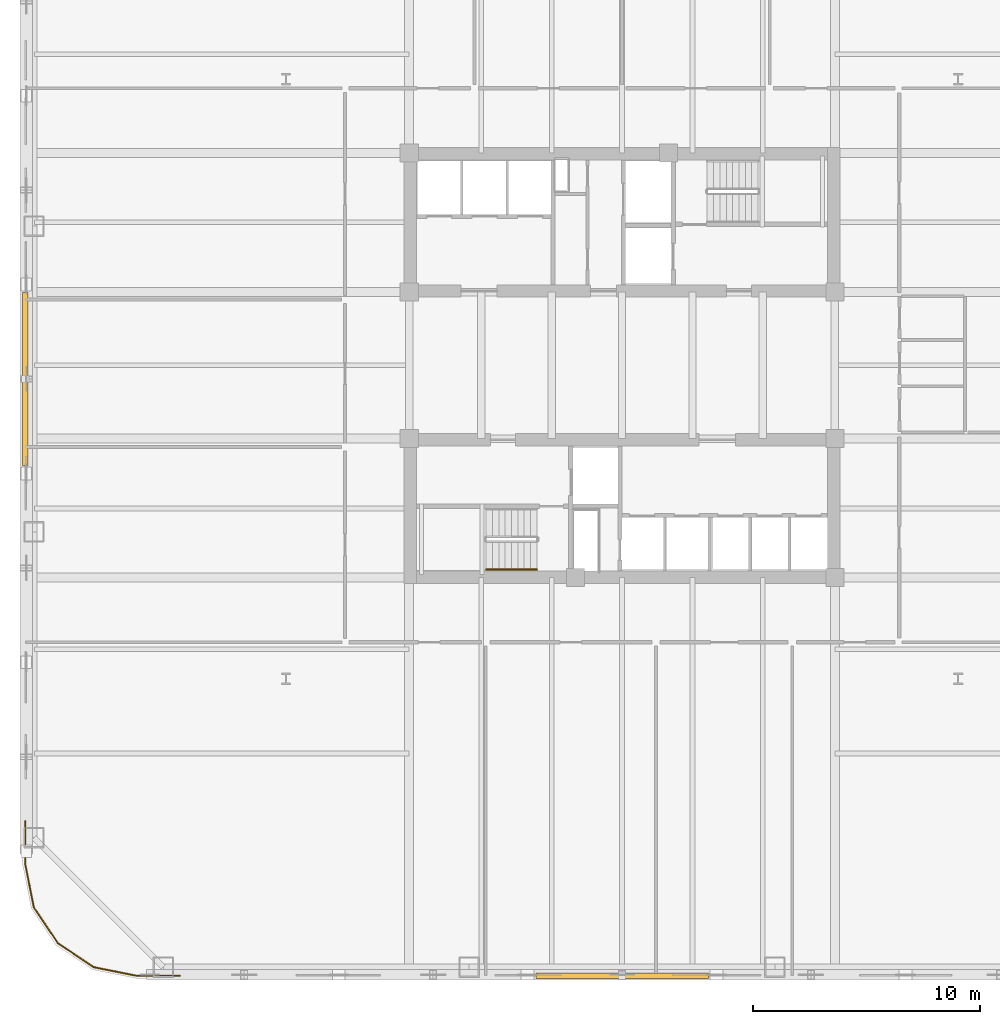
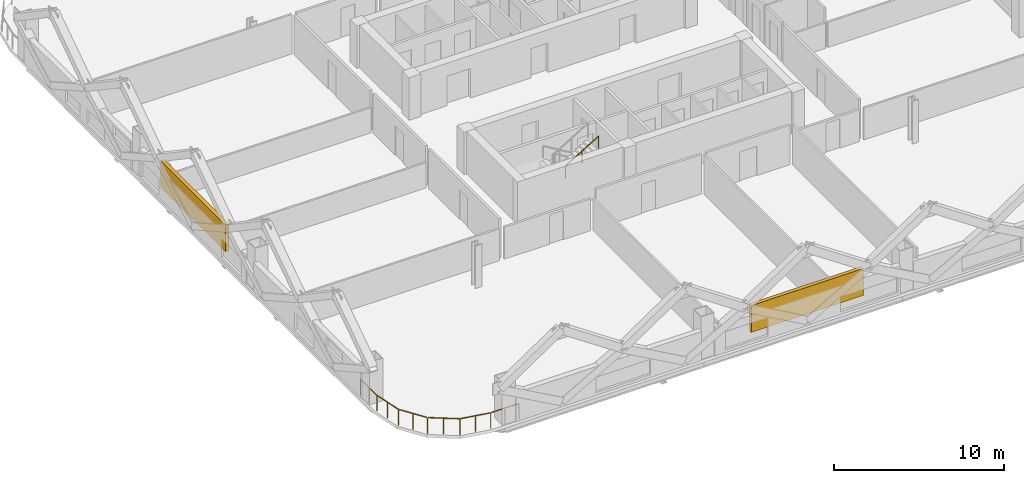
# One storey, part 8 of 13: 2 railings, 2 shading devices.
"""IFC4 building model written with IfcOpenShell, lengths in metres."""

from ifc_helpers import new_model, si_unit, direction, frame, origin, origin_2d, place, context, subcontext, project, spatial, rectangle, extrude, material, type_object, element, save


model = new_model("IFC4")

# Units and contexts
model_context = context("Model", 3, precision=1e-05, world=origin(), true_north=direction((0.0, 1.0)))
body_context = subcontext(model_context, "Body", "Model", "MODEL_VIEW")
ifc_project = project(units=[si_unit("LENGTHUNIT", "METRE"), si_unit("AREAUNIT", "SQUARE_METRE"), si_unit("VOLUMEUNIT", "CUBIC_METRE"), si_unit("PLANEANGLEUNIT", "RADIAN"), si_unit("MASSUNIT", "GRAM", prefix="KILO")], contexts=[model_context])

# Site, building, storey
site_placement = place(None, origin())
site = spatial("IfcSite", under=ifc_project, at=site_placement, CompositionType="ELEMENT")
building_placement = place(site_placement, origin())
building = spatial("IfcBuilding", under=site, at=building_placement, Name="Qhalaya Broadcast Tower", CompositionType="ELEMENT")
storey_placement = place(building_placement, frame((0.0, 0.0, 44.39990234375)))
storey = spatial("IfcBuildingStorey", under=building, at=storey_placement, Name="L12", CompositionType="ELEMENT", Elevation=44.39990234375)

# Railings
ifc_material_1 = material(Name="Powder-Coated Galvanised Steel", Category="steel")
railing_type_1 = type_object("IfcRailingType", Name="Stair Wall Handrail 900", PredefinedType="HANDRAIL", material=ifc_material_1)
railing_1_placement = place(storey_placement, frame((-5.989990234375, -8.389892578125, 1.694580078125)))
element("IfcRailing", 1, at=railing_1_placement, inside=storey, type_object=railing_type_1, Name="L12 ST-2 Stair Handrail 2", PredefinedType="HANDRAIL", context=body_context, shape_type="SweptSolid", body=[
    extrude(rectangle(XDim=0.048095703125, YDim=0.048095703125, at=origin_2d()), frame((0.0, 0.0, 0.8759765625), z_axis=(0.855553338991, 0.0, 0.51771467445), x_axis=(0.0, 1.0, 0.0)), (0.0, 0.0, 1.0), 2.6181640625),
    extrude(rectangle(XDim=0.0419921875, YDim=0.0419921875, at=origin_2d()), origin(), (0.0, 0.0, 1.0), 0.849853515625),
    extrude(rectangle(XDim=0.0419921875, YDim=0.0419921875, at=origin_2d()), frame((1.1201171875, 0.0, 0.677734375)), (0.0, 0.0, 1.0), 0.849853515625),
    extrude(rectangle(XDim=0.0419921875, YDim=0.0419921875, at=origin_2d()), frame((2.239990234375, 0.0, 1.35546875)), (0.0, 0.0, 1.0), 0.849853515625),
])
railing_type_2 = type_object("IfcRailingType", Name="Terrace, Sky-Pool & Lookout Glass Balustrade 1150", PredefinedType="BALUSTRADE", material=ifc_material_1)
railing_2_placement = place(storey_placement, frame((-19.48193359375, -26.280029296875, 0.0)))
element("IfcRailing", 2, at=railing_2_placement, inside=storey, type_object=railing_type_2, Name="L12 Rounded Corner Perimeter Guard 02", PredefinedType="BALUSTRADE", context=body_context, shape_type="SweptSolid", body=[
    extrude(rectangle(XDim=0.048095703125, YDim=0.048095703125, at=origin_2d()), frame((0.0, 0.0, 1.1259765625), z_axis=(-1.0, 0.0, 0.0), x_axis=(0.0, -1.0, 0.0)), (0.0, 0.0, 1.0), 1.87744140625),
    extrude(rectangle(XDim=0.048095703125, YDim=0.048095703125, at=origin_2d()), frame((-1.9345703125, 0.005615234375, 1.1259765625), z_axis=(-0.980795810058, 0.195037378397, 0.0), x_axis=(-0.195037378397, -0.980795810058, 0.0)), (0.0, 0.0, 1.0), 1.857421875),
    extrude(rectangle(XDim=0.048095703125, YDim=0.048095703125, at=origin_2d()), frame((-3.80859375, 0.3896484375, 1.1259765625), z_axis=(-0.831477548332, 0.555558355728, 0.0), x_axis=(-0.555558355728, -0.831477548332, 0.0)), (0.0, 0.0, 1.0), 1.845458984375),
    extrude(rectangle(XDim=0.048095703125, YDim=0.048095703125, at=origin_2d()), frame((-5.38330078125, 1.454833984375, 1.1259765625), z_axis=(-0.555558355728, 0.831477548332, 0.0), x_axis=(-0.831477548332, -0.555558355728, 0.0)), (0.0, 0.0, 1.0), 1.845458984375),
    extrude(rectangle(XDim=0.048095703125, YDim=0.048095703125, at=origin_2d()), frame((-6.43017578125, 3.041748046875, 1.1259765625), z_axis=(-0.195037378397, 0.980795810058, 0.0), x_axis=(-0.980795810058, -0.195037378397, 0.0)), (0.0, 0.0, 1.0), 1.857421875),
    extrude(rectangle(XDim=0.048095703125, YDim=0.048095703125, at=origin_2d()), frame((-6.798095703125, 4.920654296875, 1.1259765625), z_axis=(0.0, 1.0, 0.0), x_axis=(-1.0, 0.0, 0.0)), (0.0, 0.0, 1.0), 1.87744140625),
    extrude(rectangle(XDim=0.0419921875, YDim=0.0419921875, at=origin_2d()), origin(), (0.0, 0.0, 1.0), 1.099853515625),
    extrude(rectangle(XDim=0.0419921875, YDim=0.0419921875, at=origin_2d()), frame((-0.953125, 0.0, 0.0)), (0.0, 0.0, 1.0), 1.099853515625),
    extrude(rectangle(XDim=0.0419921875, YDim=0.0419921875, at=origin_2d()), frame((-1.90625, 0.0, 0.0)), (0.0, 0.0, 1.0), 1.099853515625),
    extrude(rectangle(XDim=0.0419921875, YDim=0.0419921875, at=origin_2d()), frame((-2.845458984375, 0.186767578125, 0.0)), (0.0, 0.0, 1.0), 1.099853515625),
    extrude(rectangle(XDim=0.0419921875, YDim=0.0419921875, at=origin_2d()), frame((-3.78466796875, 0.37353515625, 0.0)), (0.0, 0.0, 1.0), 1.099853515625),
    extrude(rectangle(XDim=0.0419921875, YDim=0.0419921875, at=origin_2d()), frame((-4.575927734375, 0.90234375, 0.0)), (0.0, 0.0, 1.0), 1.099853515625),
    extrude(rectangle(XDim=0.0419921875, YDim=0.0419921875, at=origin_2d()), frame((-5.3671875, 1.430908203125, 0.0)), (0.0, 0.0, 1.0), 1.099853515625),
    extrude(rectangle(XDim=0.0419921875, YDim=0.0419921875, at=origin_2d()), frame((-5.89599609375, 2.22216796875, 0.0)), (0.0, 0.0, 1.0), 1.099853515625),
    extrude(rectangle(XDim=0.0419921875, YDim=0.0419921875, at=origin_2d()), frame((-6.424560546875, 3.013427734375, 0.0)), (0.0, 0.0, 1.0), 1.099853515625),
    extrude(rectangle(XDim=0.0419921875, YDim=0.0419921875, at=origin_2d()), frame((-6.611328125, 3.95263671875, 0.0)), (0.0, 0.0, 1.0), 1.099853515625),
    extrude(rectangle(XDim=0.0419921875, YDim=0.0419921875, at=origin_2d()), frame((-6.798095703125, 4.891845703125, 0.0)), (0.0, 0.0, 1.0), 1.099853515625),
    extrude(rectangle(XDim=0.0419921875, YDim=0.0419921875, at=origin_2d()), frame((-6.798095703125, 5.844970703125, 0.0)), (0.0, 0.0, 1.0), 1.099853515625),
    extrude(rectangle(XDim=0.0419921875, YDim=0.0419921875, at=origin_2d()), frame((-6.798095703125, 6.798095703125, 0.0)), (0.0, 0.0, 1.0), 1.099853515625),
])

# Shading devices
ifc_material_2 = material(Name="Fired Architectural Terracotta", Category="masonry")
shading_device_type = type_object("IfcShadingDeviceType", Name="Terracotta Baguette Solar Screen Assembly TBS-01", PredefinedType="USERDEFINED", material=ifc_material_2)
for number, where, z_axis, x_axis, name in (
    (3, (0.0, -26.280029296875, 0.79248046875), (0.0, 0.0, 1.0), (1.0, 0.0, 0.0), "L12 Fired Terracotta Baguette Screen S"),
    (4, (-26.280029296875, 0.0, 0.79248046875), (0.0, 0.0, 1.0), (0.0, -1.0, 0.0), "L12 Fired Terracotta Baguette Screen W"),
):
    element("IfcShadingDevice", number, at=place(storey_placement, frame(where, z_axis=z_axis, x_axis=x_axis)), inside=storey, type_object=shading_device_type, Name=name, ObjectType="BAGUETTE", PredefinedType="USERDEFINED", context=body_context, shape_type="SweptSolid", body=[
        extrude(rectangle(XDim=7.60009765625, YDim=0.239990234375, at=origin_2d()), origin(), (0.0, 0.0, 1.0), 1.924072265625),
    ])

save(model, "model.ifc")
